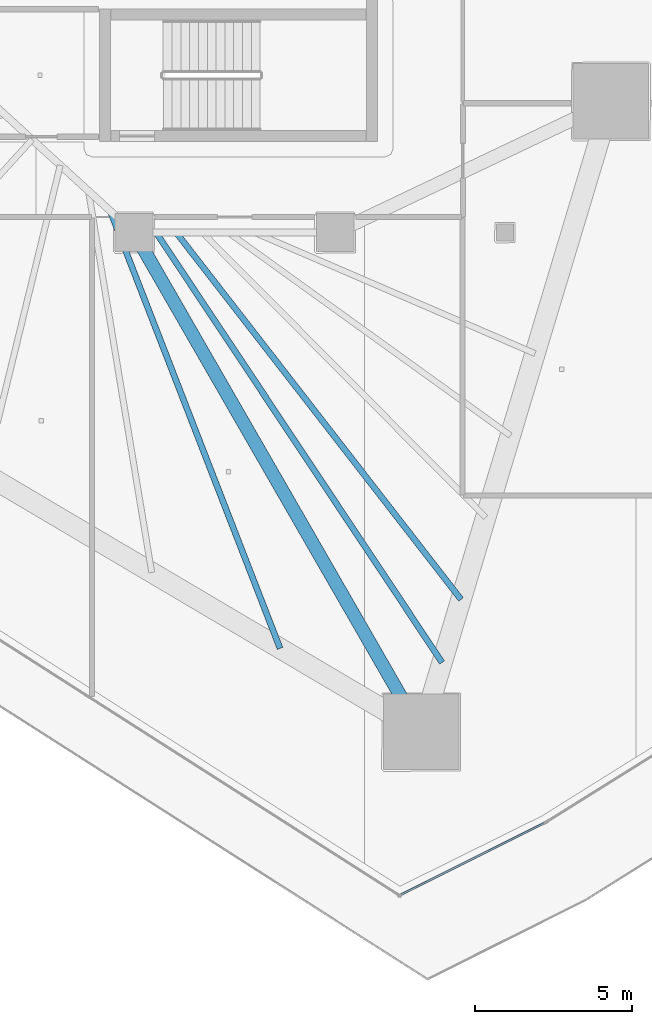
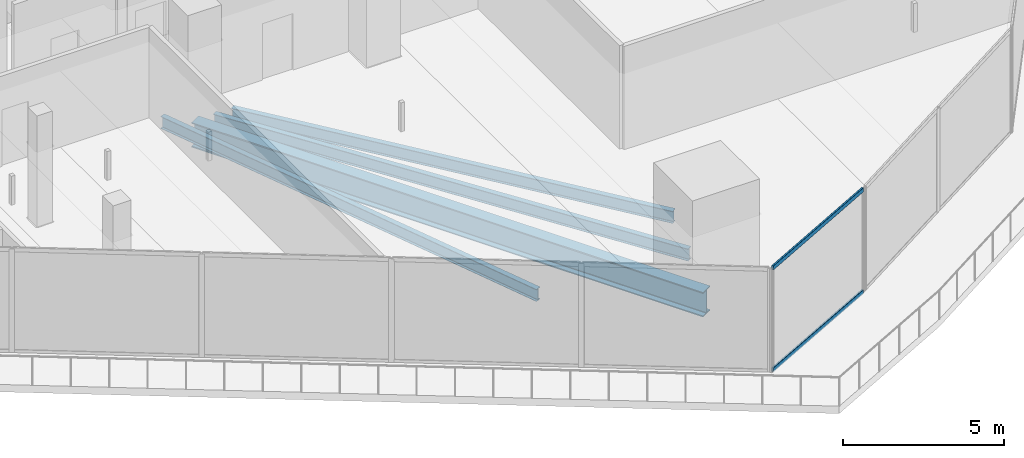
# One storey, part 8 of 44: 4 beams, 2 members, 1 element without a shape of its own.
"""IFC4 building model written with IfcOpenShell, lengths in metres."""

from ifc_helpers import new_model, si_unit, direction, frame, origin, origin_2d, place, context, subcontext, project, spatial, hollow_rectangle, i_section, extrude, material, layer, layer_set, material_profile, profile_set, type_object, element, aggregate, save


model = new_model("IFC4")

# Units and contexts
model_context = context("Model", 3, precision=1e-05, world=origin(), true_north=direction((0.0, 1.0)))
body_context = subcontext(model_context, "Body", "Model", "MODEL_VIEW")
ifc_project = project(units=[si_unit("LENGTHUNIT", "METRE"), si_unit("AREAUNIT", "SQUARE_METRE"), si_unit("VOLUMEUNIT", "CUBIC_METRE"), si_unit("PLANEANGLEUNIT", "RADIAN"), si_unit("MASSUNIT", "GRAM", prefix="KILO")], contexts=[model_context])

# Site, building, storey
site_placement = place(None, origin())
site = spatial("IfcSite", under=ifc_project, at=site_placement, CompositionType="ELEMENT")
building_placement = place(site_placement, origin())
building = spatial("IfcBuilding", under=site, at=building_placement, Name="Qorvath Tower", CompositionType="ELEMENT")
storey_placement = place(building_placement, frame((0.0, 0.0, 70.199951171875)))
storey = spatial("IfcBuildingStorey", under=building, at=storey_placement, Name="L15", CompositionType="ELEMENT", Elevation=70.199951171875)

# Beams
ifc_material_1 = material(Name="Steel ASTM A992 Grade 50", Category="steel")
ifc_material_profile_1 = material_profile(ifc_material_1, i_section(OverallWidth=0.422119140625, OverallDepth=0.93310546875, WebThickness=0.021240234375, FlangeThickness=0.039794921875, FilletRadius=0.02392578125, at=origin_2d()), Name="W36x262")
ifc_profile_set_1 = profile_set([ifc_material_profile_1], Name="Steel ASTM A992 Grade 50")
beam_type_1 = type_object("IfcBeamType", Name="BM-FG1", PredefinedType="BEAM", material=ifc_profile_set_1)
beam_1_placement = place(storey_placement, frame((-23.60009765625, -11.449951171875, -0.74658203125), z_axis=(0.498645367714, -0.866806089767, 0.0), x_axis=(0.866806089767, 0.498645367714, 0.0)))
element("IfcBeam", 1, at=beam_1_placement, inside=storey, type_object=beam_type_1, Name="Radial Floor Girder CC4-MC3 L15", PredefinedType="BEAM", context=body_context, shape_type="SweptSolid", body=[
    extrude(i_section(OverallWidth=0.422119140625, OverallDepth=0.93310546875, WebThickness=0.021240234375, FlangeThickness=0.039794921875, FilletRadius=0.02392578125, at=origin_2d()), origin(), (0.0, 0.0, 1.0), 18.321044921875),
])
ifc_material_2 = material(Name="Steel ASTM A992 Grade 50", Category="steel")
ifc_material_profile_2 = material_profile(ifc_material_2, i_section(OverallWidth=0.18994140625, OverallDepth=0.45703125, WebThickness=0.009033203125, FlangeThickness=0.014404296875, FilletRadius=0.011962890625, at=origin_2d()), Name="W18x50")
ifc_profile_set_2 = profile_set([ifc_material_profile_2], Name="Steel ASTM A992 Grade 50")
beam_type_2 = type_object("IfcBeamType", Name="BM-FJ2", PredefinedType="JOIST", material=ifc_profile_set_2)
beam_2_placement = place(storey_placement, frame((-22.256103515625, -11.449951171875, -0.508544921875), z_axis=(0.613206963859, -0.789922286984, 0.0), x_axis=(0.789922286984, 0.613206963859, 0.0)))
element("IfcBeam", 2, at=beam_2_placement, inside=storey, type_object=beam_type_2, Name="Composite Floor Joist SE6 L15", PredefinedType="JOIST", context=body_context, shape_type="SweptSolid", body=[
    extrude(i_section(OverallWidth=0.18994140625, OverallDepth=0.45703125, WebThickness=0.009033203125, FlangeThickness=0.014404296875, FilletRadius=0.011962890625, at=origin_2d()), origin(), (0.0, 0.0, 1.0), 14.77294921875),
])
beam_3_placement = place(storey_placement, frame((-22.89599609375, -11.449951171875, -0.508544921875), z_axis=(0.553811384989, -0.83264214994, 0.0), x_axis=(0.83264214994, 0.553811384989, 0.0)))
element("IfcBeam", 3, at=beam_3_placement, inside=storey, type_object=beam_type_2, Name="Composite Floor Joist SE7 L15", PredefinedType="JOIST", context=body_context, shape_type="SweptSolid", body=[
    extrude(i_section(OverallWidth=0.18994140625, OverallDepth=0.45703125, WebThickness=0.009033203125, FlangeThickness=0.014404296875, FilletRadius=0.011962890625, at=origin_2d()), origin(), (0.0, 0.0, 1.0), 16.42333984375),
])
beam_4_placement = place(storey_placement, frame((-24.35888671875, -10.757080078125, -0.508544921875), z_axis=(0.361964096586, -0.93219203643, 0.0), x_axis=(0.93219203643, 0.361964096586, 0.0)))
element("IfcBeam", 4, at=beam_4_placement, inside=storey, type_object=beam_type_2, Name="Composite Floor Joist SW7 L15", PredefinedType="JOIST", context=body_context, shape_type="SweptSolid", body=[
    extrude(i_section(OverallWidth=0.18994140625, OverallDepth=0.45703125, WebThickness=0.009033203125, FlangeThickness=0.014404296875, FilletRadius=0.011962890625, at=origin_2d()), origin(), (0.0, 0.0, 1.0), 14.93115234375),
])

# Curtain wall, members
ifc_material_3 = material(Name="Anodised aluminium and triple low-E glass", Category="aluminium")
ifc_layer = layer(ifc_material_3, 0.179931640625)
ifc_layer_set = layer_set([ifc_layer], Name="CW-SYS-2")
curtain_wall_type = type_object("IfcCurtainWallType", Name="CW-SYS-2", PredefinedType="NOTDEFINED", material=ifc_layer_set)
curtain_wall_placement = place(storey_placement, origin())
curtain_wall = element("IfcCurtainWall", 5, at=curtain_wall_placement, inside=storey, type_object=curtain_wall_type, Name="Curtain Wall CW-2 CW-T-L15-3.1", PredefinedType="NOTDEFINED")
ifc_material_4 = material(Name="Anodised aluminium 6063-T6", Category="aluminium")
ifc_material_profile_3 = material_profile(ifc_material_4, hollow_rectangle(XDim=0.06494140625, YDim=0.159912109375, WallThickness=0.00341796875, InnerFilletRadius=0.00341796875, OuterFilletRadius=0.007080078125, at=origin_2d()), Name="CWT 160x65")
ifc_profile_set_3 = profile_set([ifc_material_profile_3], Name="Anodised aluminium 6063-T6")
member_type = type_object("IfcMemberType", Name="CWT-160", PredefinedType="USERDEFINED", material=ifc_profile_set_3)
member_1_placement = place(storey_placement, frame((-15.096923828125, -32.506103515625, 0.032470703125), z_axis=(0.894427191, 0.4472135955, 0.0), x_axis=(-0.4472135955, 0.894427191, 0.0)))
member_1 = element("IfcMember", 6, at=member_1_placement, type_object=member_type, Name="CW-2 transom 1.1", ObjectType="TRANSOM", PredefinedType="USERDEFINED", context=body_context, shape_type="SweptSolid", body=[
    extrude(hollow_rectangle(XDim=0.06494140625, YDim=0.159912109375, WallThickness=0.00341796875, InnerFilletRadius=0.00341796875, OuterFilletRadius=0.007080078125, at=origin_2d()), origin(), (0.0, 0.0, 1.0), 5.066650390625),
])
member_2_placement = place(storey_placement, frame((-15.096923828125, -32.506103515625, 3.8876953125), z_axis=(0.894427191, 0.4472135955, 0.0), x_axis=(-0.4472135955, 0.894427191, 0.0)))
member_2 = element("IfcMember", 7, at=member_2_placement, type_object=member_type, Name="CW-2 transom 1.2", ObjectType="TRANSOM", PredefinedType="USERDEFINED", context=body_context, shape_type="SweptSolid", body=[
    extrude(hollow_rectangle(XDim=0.06494140625, YDim=0.159912109375, WallThickness=0.00341796875, InnerFilletRadius=0.00341796875, OuterFilletRadius=0.007080078125, at=origin_2d()), origin(), (0.0, 0.0, 1.0), 5.066650390625),
])
aggregate(curtain_wall, [member_1, member_2])

save(model, "model.ifc")
